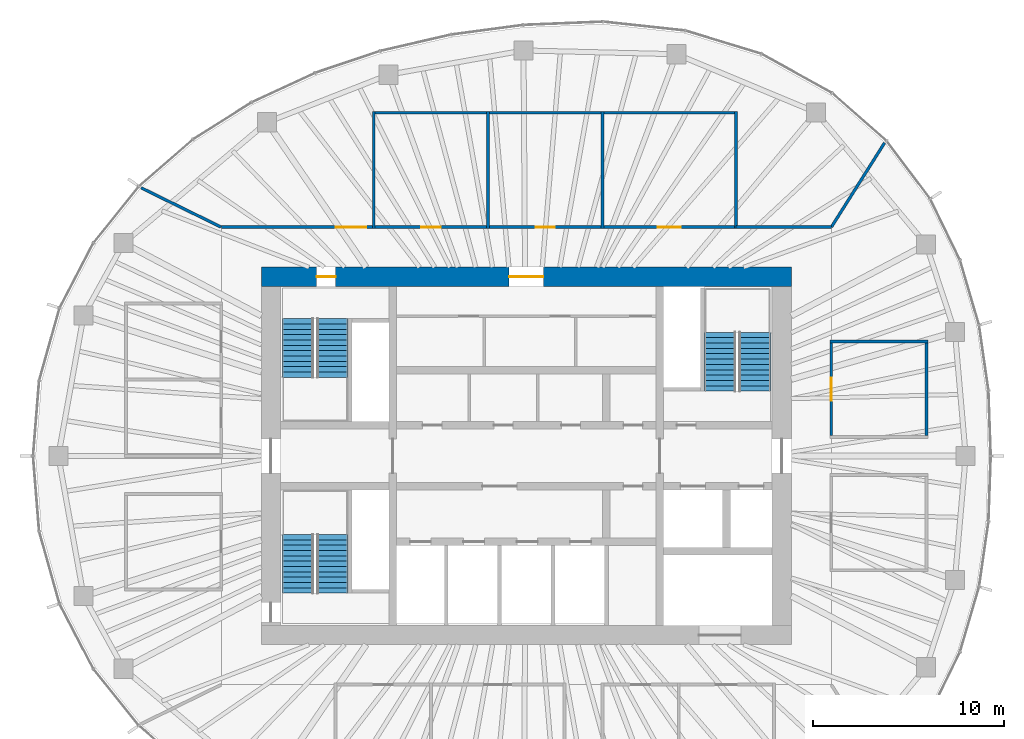
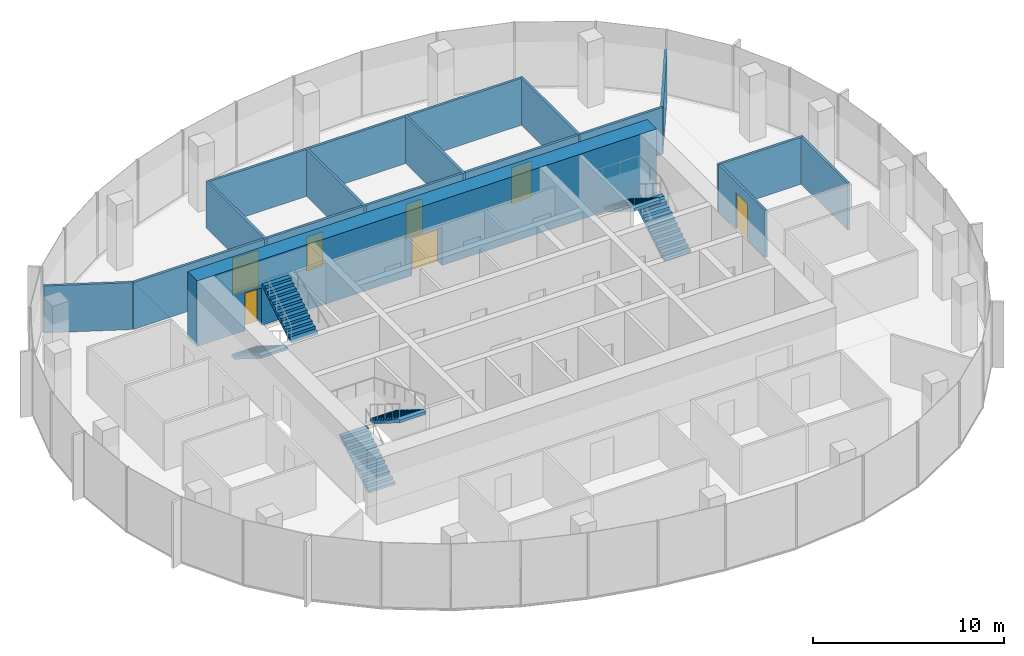
# One storey, part 10 of 11: 18 walls, 7 doors, 6 stair flights, 7 openings, 3 elements without a shape of their own.
"""IFC4 building model written with IfcOpenShell, lengths in metres."""

from ifc_helpers import new_model, si_unit, direction, frame, frame_2d, origin, place, context, subcontext, project, spatial, polyline, rectangle, outline, extrude, material, layer, layer_set, type_object, element, fill, aggregate, save


model = new_model("IFC4")

# Units and contexts
model_context = context("Model", 3, precision=1e-05, world=origin(), true_north=direction((0.0, 1.0)))
body_context = subcontext(model_context, "Body", "Model", "MODEL_VIEW")
ifc_project = project(units=[si_unit("LENGTHUNIT", "METRE"), si_unit("AREAUNIT", "SQUARE_METRE"), si_unit("VOLUMEUNIT", "CUBIC_METRE"), si_unit("PLANEANGLEUNIT", "RADIAN"), si_unit("MASSUNIT", "GRAM", prefix="KILO")], contexts=[model_context])

# Site, building, storey
site_placement = place(None, origin())
site = spatial("IfcSite", under=ifc_project, at=site_placement, CompositionType="ELEMENT")
building_placement = place(site_placement, origin())
building = spatial("IfcBuilding", under=site, at=building_placement, Name="Ghaith Harvest Tower", CompositionType="ELEMENT")
storey_placement = place(building_placement, frame((0.0, 0.0, 317.39990234375)))
storey = spatial("IfcBuildingStorey", under=building, at=storey_placement, Name="L71", CompositionType="ELEMENT", Elevation=317.39990234375)

# Wall, openings, doors
ifc_material_1 = material(Name="Concrete C50/60", Category="concrete")
ifc_layer_1 = layer(ifc_material_1, 1.0)
ifc_layer_set_1 = layer_set([ifc_layer_1], Name="CORE WALL CW1000")
wall_type_1 = type_object("IfcWallType", Name="CORE WALL CW1000", PredefinedType="SHEAR", material=ifc_layer_set_1)
wall_1_placement = place(storey_placement, frame((13.89990234375, 9.39990234375, 0.0), z_axis=(0.0, 0.0, 1.0), x_axis=(-1.0, 0.0, 0.0)))
wall_1 = element("IfcWall", 1, at=wall_1_placement, inside=storey, type_object=wall_type_1, Name="Core wall N L71", PredefinedType="SHEAR", context=body_context, shape_type="SweptSolid", body=[
    extrude(rectangle(XDim=27.7998046875, YDim=1.0, at=frame_2d((13.89990234375, 0.0))), origin(), (0.0, 0.0, 1.0), 4.2001953125),
])
opening_1_placement = place(wall_1_placement, frame((23.89990234375, 0.0, 0.0)))
opening_1 = element("IfcOpeningElement", 2, at=opening_1_placement, cuts=wall_1, Name="Opening 71-005", PredefinedType="OPENING", context=body_context, shape_type="SweptSolid", body=[
    extrude(rectangle(XDim=1.0, YDim=2.39990234375, at=frame_2d((0.5, 1.199951171875))), frame((0.0, 0.510009765625, 0.0), z_axis=(0.0, -1.0, 0.0), x_axis=(1.0, 0.0, 0.0)), (0.0, 0.0, 1.0), 1.02001953125),
])
opening_2_placement = place(wall_1_placement, frame((13.0, 0.0, 0.0)))
opening_2 = element("IfcOpeningElement", 3, at=opening_2_placement, cuts=wall_1, Name="Opening 71-017", PredefinedType="OPENING", context=body_context, shape_type="SweptSolid", body=[
    extrude(rectangle(XDim=1.800048828125, YDim=2.39990234375, at=frame_2d((0.89990234375, 1.199951171875))), frame((0.0, 0.510009765625, 0.0), z_axis=(0.0, -1.0, 0.0), x_axis=(1.0, 0.0, 0.0)), (0.0, 0.0, 1.0), 1.02001953125),
])
ifc_material_2 = material(Name="Steel fire door", Category="steel")
door_type_1 = type_object("IfcDoorType", Name="D3 FD90 1000x2400", OperationType="SINGLE_SWING_LEFT", PredefinedType="DOOR", material=ifc_material_2)
door_1_placement = place(opening_1_placement, origin())
door_1 = element("IfcDoor", 4, at=door_1_placement, inside=storey, type_object=door_type_1, Name="Stair ST1 door", OperationType="SINGLE_SWING_RIGHT", OverallHeight=2.39990234375, OverallWidth=1.0, PredefinedType="DOOR", context=body_context, shape_type="SweptSolid", body=[
    extrude(rectangle(XDim=1.0, YDim=2.39990234375, at=frame_2d((0.5, 1.199951171875))), frame((0.0, 0.02490234375, 0.0), z_axis=(0.0, -1.0, 0.0), x_axis=(1.0, 0.0, 0.0)), (0.0, 0.0, 1.0), 0.050048828125),
])
fill(opening_1, door_1)
ifc_material_3 = material(Name="Steel fire door", Category="steel")
door_type_2 = type_object("IfcDoorType", Name="D4 FD90 PAIR 1800x2400", OperationType="DOUBLE_DOOR_SINGLE_SWING", PredefinedType="DOOR", material=ifc_material_3)
door_2_placement = place(opening_2_placement, origin())
door_2 = element("IfcDoor", 5, at=door_2_placement, inside=storey, type_object=door_type_2, Name="Core service corridor doors", OperationType="DOUBLE_DOOR_SINGLE_SWING", OverallHeight=2.39990234375, OverallWidth=1.800048828125, PredefinedType="DOOR", context=body_context, shape_type="SweptSolid", body=[
    extrude(rectangle(XDim=1.800048828125, YDim=2.39990234375, at=frame_2d((0.89990234375, 1.199951171875))), frame((0.0, 0.02490234375, 0.0), z_axis=(0.0, -1.0, 0.0), x_axis=(1.0, 0.0, 0.0)), (0.0, 0.0, 1.0), 0.050048828125),
])
fill(opening_2, door_2)

# Walls
ifc_material_4 = material(Name="Gypsum board on steel studs", Category="steel")
ifc_layer_2 = layer(ifc_material_4, 0.14990234375)
ifc_layer_set_2 = layer_set([ifc_layer_2], Name="PARTITION 150")
wall_type_2 = type_object("IfcWallType", Name="PARTITION 150", PredefinedType="PARTITIONING", material=ifc_layer_set_2)
for number, where, z_axis, x_axis, name in (
    (6, (-8.0, 11.925048828125, 0.0), (0.0, 0.0, 1.0), (0.0, 1.0, 0.0), "Partition L71 row N1 cross wall 1"),
    (7, (-2.0, 11.925048828125, 0.0), (0.0, 0.0, 1.0), (0.0, 1.0, 0.0), "Partition L71 row N1 cross wall 2"),
    (8, (4.0, 11.925048828125, 0.0), (0.0, 0.0, 1.0), (0.0, 1.0, 0.0), "Partition L71 row N1 cross wall 3"),
    (9, (11.0, 11.925048828125, 0.0), (0.0, 0.0, 1.0), (0.0, 1.0, 0.0), "Partition L71 row N1 cross wall 4"),
):
    element("IfcWall", number, at=place(storey_placement, frame(where, z_axis=z_axis, x_axis=x_axis)), inside=storey, type_object=wall_type_2, Name=name, PredefinedType="PARTITIONING", context=body_context, shape_type="SweptSolid", body=[
        extrude(rectangle(XDim=6.14990234375, YDim=0.14990234375, at=frame_2d((3.074951171875, 0.0))), origin(), (0.0, 0.0, 1.0), 3.0),
    ])

# Wall, opening, door
wall_2_placement = place(storey_placement, frame((-7.925048828125, 12.0, 0.0), z_axis=(0.0, 0.0, 1.0), x_axis=(1.0, 0.0, 0.0)))
wall_2 = element("IfcWall", 10, at=wall_2_placement, inside=storey, type_object=wall_type_2, Name="Partition L71-01", PredefinedType="PARTITIONING", context=body_context, shape_type="SweptSolid", body=[
    extrude(rectangle(XDim=5.85009765625, YDim=0.14990234375, at=frame_2d((2.925048828125, 0.0))), origin(), (0.0, 0.0, 1.0), 3.0),
])
opening_3_placement = place(wall_2_placement, frame((2.425048828125, 0.0, 0.0)))
opening_3 = element("IfcOpeningElement", 11, at=opening_3_placement, cuts=wall_2, Name="Opening 71-025", PredefinedType="OPENING", context=body_context, shape_type="SweptSolid", body=[
    extrude(rectangle(XDim=1.0, YDim=2.199951171875, at=frame_2d((0.5, 1.10009765625))), frame((0.0, 0.0849609375, 0.0), z_axis=(0.0, -1.0, 0.0), x_axis=(1.0, 0.0, 0.0)), (0.0, 0.0, 1.0), 0.169921875),
])
ifc_material_5 = material(Name="Timber door", Category="wood")
door_type_3 = type_object("IfcDoorType", Name="D1 SINGLE 1000x2200", OperationType="SINGLE_SWING_LEFT", PredefinedType="DOOR", material=ifc_material_5)
door_3_placement = place(opening_3_placement, origin())
door_3 = element("IfcDoor", 12, at=door_3_placement, inside=storey, type_object=door_type_3, Name="Drying room door", OperationType="SINGLE_SWING_LEFT", OverallHeight=2.199951171875, OverallWidth=1.0, PredefinedType="DOOR", context=body_context, shape_type="SweptSolid", body=[
    extrude(rectangle(XDim=1.0, YDim=2.199951171875, at=frame_2d((0.5, 1.10009765625))), frame((0.0, 0.02490234375, 0.0), z_axis=(0.0, -1.0, 0.0), x_axis=(1.0, 0.0, 0.0)), (0.0, 0.0, 1.0), 0.050048828125),
])
fill(opening_3, door_3)

# Wall
wall_3_placement = place(storey_placement, frame((-7.925048828125, 18.0, 0.0), z_axis=(0.0, 0.0, 1.0), x_axis=(1.0, 0.0, 0.0)))
element("IfcWall", 13, at=wall_3_placement, inside=storey, type_object=wall_type_2, Name="Partition L71-01", PredefinedType="PARTITIONING", context=body_context, shape_type="SweptSolid", body=[
    extrude(rectangle(XDim=5.85009765625, YDim=0.14990234375, at=frame_2d((2.925048828125, 0.0))), origin(), (0.0, 0.0, 1.0), 3.0),
])

# Wall, opening, door
wall_4_placement = place(storey_placement, frame((-1.925048828125, 12.0, 0.0), z_axis=(0.0, 0.0, 1.0), x_axis=(1.0, 0.0, 0.0)))
wall_4 = element("IfcWall", 14, at=wall_4_placement, inside=storey, type_object=wall_type_2, Name="Partition L71-02", PredefinedType="PARTITIONING", context=body_context, shape_type="SweptSolid", body=[
    extrude(rectangle(XDim=5.85009765625, YDim=0.14990234375, at=frame_2d((2.925048828125, 0.0))), origin(), (0.0, 0.0, 1.0), 3.0),
])
opening_4_placement = place(wall_4_placement, frame((2.425048828125, 0.0, 0.0)))
opening_4 = element("IfcOpeningElement", 15, at=opening_4_placement, cuts=wall_4, Name="Opening 71-026", PredefinedType="OPENING", context=body_context, shape_type="SweptSolid", body=[
    extrude(rectangle(XDim=1.0, YDim=2.199951171875, at=frame_2d((0.5, 1.10009765625))), frame((0.0, 0.0849609375, 0.0), z_axis=(0.0, -1.0, 0.0), x_axis=(1.0, 0.0, 0.0)), (0.0, 0.0, 1.0), 0.169921875),
])
door_4_placement = place(opening_4_placement, origin())
door_4 = element("IfcDoor", 16, at=door_4_placement, inside=storey, type_object=door_type_3, Name="Drying room door", OperationType="SINGLE_SWING_LEFT", OverallHeight=2.199951171875, OverallWidth=1.0, PredefinedType="DOOR", context=body_context, shape_type="SweptSolid", body=[
    extrude(rectangle(XDim=1.0, YDim=2.199951171875, at=frame_2d((0.5, 1.10009765625))), frame((0.0, 0.02490234375, 0.0), z_axis=(0.0, -1.0, 0.0), x_axis=(1.0, 0.0, 0.0)), (0.0, 0.0, 1.0), 0.050048828125),
])
fill(opening_4, door_4)

# Wall
wall_5_placement = place(storey_placement, frame((-1.925048828125, 18.0, 0.0), z_axis=(0.0, 0.0, 1.0), x_axis=(1.0, 0.0, 0.0)))
element("IfcWall", 17, at=wall_5_placement, inside=storey, type_object=wall_type_2, Name="Partition L71-02", PredefinedType="PARTITIONING", context=body_context, shape_type="SweptSolid", body=[
    extrude(rectangle(XDim=5.85009765625, YDim=0.14990234375, at=frame_2d((2.925048828125, 0.0))), origin(), (0.0, 0.0, 1.0), 3.0),
])

# Wall, opening, door
wall_6_placement = place(storey_placement, frame((4.074951171875, 12.0, 0.0), z_axis=(0.0, 0.0, 1.0), x_axis=(1.0, 0.0, 0.0)))
wall_6 = element("IfcWall", 18, at=wall_6_placement, inside=storey, type_object=wall_type_2, Name="Partition L71-03", PredefinedType="PARTITIONING", context=body_context, shape_type="SweptSolid", body=[
    extrude(rectangle(XDim=6.85009765625, YDim=0.14990234375, at=frame_2d((3.425048828125, 0.0))), origin(), (0.0, 0.0, 1.0), 3.0),
])
opening_5_placement = place(wall_6_placement, frame((2.824951171875, 0.0, 0.0)))
opening_5 = element("IfcOpeningElement", 19, at=opening_5_placement, cuts=wall_6, Name="Opening 71-027", PredefinedType="OPENING", context=body_context, shape_type="SweptSolid", body=[
    extrude(rectangle(XDim=1.199951171875, YDim=2.300048828125, at=frame_2d((0.60009765625, 1.14990234375))), frame((0.0, 0.0849609375, 0.0), z_axis=(0.0, -1.0, 0.0), x_axis=(1.0, 0.0, 0.0)), (0.0, 0.0, 1.0), 0.169921875),
])
ifc_material_6 = material(Name="Timber door with vision panel", Category="wood")
door_type_4 = type_object("IfcDoorType", Name="D15 LABORATORY 1200x2300", OperationType="SINGLE_SWING_LEFT", PredefinedType="DOOR", material=ifc_material_6)
door_5_placement = place(opening_5_placement, origin())
door_5 = element("IfcDoor", 20, at=door_5_placement, inside=storey, type_object=door_type_4, Name="Distillation laboratory door", OperationType="SINGLE_SWING_LEFT", OverallHeight=2.300048828125, OverallWidth=1.199951171875, PredefinedType="DOOR", context=body_context, shape_type="SweptSolid", body=[
    extrude(rectangle(XDim=1.199951171875, YDim=2.300048828125, at=frame_2d((0.60009765625, 1.14990234375))), frame((0.0, 0.02490234375, 0.0), z_axis=(0.0, -1.0, 0.0), x_axis=(1.0, 0.0, 0.0)), (0.0, 0.0, 1.0), 0.050048828125),
])
fill(opening_5, door_5)

# Walls
wall_7_placement = place(storey_placement, frame((4.074951171875, 18.0, 0.0), z_axis=(0.0, 0.0, 1.0), x_axis=(1.0, 0.0, 0.0)))
element("IfcWall", 21, at=wall_7_placement, inside=storey, type_object=wall_type_2, Name="Partition L71-03", PredefinedType="PARTITIONING", context=body_context, shape_type="SweptSolid", body=[
    extrude(rectangle(XDim=6.85009765625, YDim=0.14990234375, at=frame_2d((3.425048828125, 0.0))), origin(), (0.0, 0.0, 1.0), 3.0),
])
wall_8_placement = place(storey_placement, frame((15.925048828125, 6.0, 0.0), z_axis=(0.0, 0.0, 1.0), x_axis=(1.0, 0.0, 0.0)))
element("IfcWall", 22, at=wall_8_placement, inside=storey, type_object=wall_type_2, Name="Partition L71 row E6 cross wall 2", PredefinedType="PARTITIONING", context=body_context, shape_type="SweptSolid", body=[
    extrude(rectangle(XDim=5.14990234375, YDim=0.14990234375, at=frame_2d((2.574951171875, 0.0))), origin(), (0.0, 0.0, 1.0), 3.0),
])

# Wall, opening, door
wall_9_placement = place(storey_placement, frame((16.0, 1.074951171875, 0.0), z_axis=(0.0, 0.0, 1.0), x_axis=(0.0, 1.0, 0.0)))
wall_9 = element("IfcWall", 23, at=wall_9_placement, inside=storey, type_object=wall_type_2, Name="Partition L71-10", PredefinedType="PARTITIONING", context=body_context, shape_type="SweptSolid", body=[
    extrude(rectangle(XDim=4.85009765625, YDim=0.14990234375, at=frame_2d((2.425048828125, 0.0))), origin(), (0.0, 0.0, 1.0), 3.0),
])
opening_6_placement = place(wall_9_placement, frame((1.824951171875, 0.0, 0.0)))
opening_6 = element("IfcOpeningElement", 24, at=opening_6_placement, cuts=wall_9, Name="Opening 71-034", PredefinedType="OPENING", context=body_context, shape_type="SweptSolid", body=[
    extrude(rectangle(XDim=1.199951171875, YDim=2.300048828125, at=frame_2d((0.60009765625, 1.14990234375))), frame((0.0, 0.0849609375, 0.0), z_axis=(0.0, -1.0, 0.0), x_axis=(1.0, 0.0, 0.0)), (0.0, 0.0, 1.0), 0.169921875),
])
door_6_placement = place(opening_6_placement, origin())
door_6 = element("IfcDoor", 25, at=door_6_placement, inside=storey, type_object=door_type_4, Name="Quality laboratory door", OperationType="SINGLE_SWING_LEFT", OverallHeight=2.300048828125, OverallWidth=1.199951171875, PredefinedType="DOOR", context=body_context, shape_type="SweptSolid", body=[
    extrude(rectangle(XDim=1.199951171875, YDim=2.300048828125, at=frame_2d((0.60009765625, 1.14990234375))), frame((0.0, 0.02490234375, 0.0), z_axis=(0.0, -1.0, 0.0), x_axis=(1.0, 0.0, 0.0)), (0.0, 0.0, 1.0), 0.050048828125),
])
fill(opening_6, door_6)

# Walls
wall_10_placement = place(storey_placement, frame((21.0, 1.074951171875, 0.0), z_axis=(0.0, 0.0, 1.0), x_axis=(0.0, 1.0, 0.0)))
element("IfcWall", 26, at=wall_10_placement, inside=storey, type_object=wall_type_2, Name="Partition L71-10", PredefinedType="PARTITIONING", context=body_context, shape_type="SweptSolid", body=[
    extrude(rectangle(XDim=4.85009765625, YDim=0.14990234375, at=frame_2d((2.425048828125, 0.0))), origin(), (0.0, 0.0, 1.0), 3.0),
])
wall_11_placement = place(storey_placement, frame((-16.017822265625, 12.0087890625, 0.0), z_axis=(0.0, 0.0, 1.0), x_axis=(-0.897771840996, 0.440460805879, 0.0)))
element("IfcWall", 27, at=wall_11_placement, inside=storey, type_object=wall_type_2, Name="Partition L71 zone division", PredefinedType="PARTITIONING", context=body_context, shape_type="SweptSolid", body=[
    extrude(rectangle(XDim=4.66552734375, YDim=0.14990234375, at=frame_2d((2.332763671875, 0.0))), origin(), (0.0, 0.0, 1.0), 3.0),
])
wall_12_placement = place(storey_placement, frame((16.0107421875, 12.016845703125, 0.0), z_axis=(0.0, 0.0, 1.0), x_axis=(0.53415837449, 0.845384427916, 0.0)))
element("IfcWall", 28, at=wall_12_placement, inside=storey, type_object=wall_type_2, Name="Partition L71 zone division", PredefinedType="PARTITIONING", context=body_context, shape_type="SweptSolid", body=[
    extrude(rectangle(XDim=5.220458984375, YDim=0.14990234375, at=frame_2d((2.6103515625, 0.0))), origin(), (0.0, 0.0, 1.0), 3.0),
])

# Wall, opening, door
wall_13_placement = place(storey_placement, frame((-8.0, 12.0, 0.0), z_axis=(0.0, 0.0, 1.0), x_axis=(-1.0, 0.0, 0.0)))
wall_13 = element("IfcWall", 29, at=wall_13_placement, inside=storey, type_object=wall_type_2, Name="Partition L71 zone enclosure", PredefinedType="PARTITIONING", context=body_context, shape_type="SweptSolid", body=[
    extrude(rectangle(XDim=8.0, YDim=0.14990234375, at=frame_2d((4.0, 0.0))), origin(), (0.0, 0.0, 1.0), 3.0),
])
opening_7_placement = place(wall_13_placement, frame((0.39990234375, 0.0, 0.0)))
opening_7 = element("IfcOpeningElement", 30, at=opening_7_placement, cuts=wall_13, Name="Opening 71-037", PredefinedType="OPENING", context=body_context, shape_type="SweptSolid", body=[
    extrude(rectangle(XDim=1.60009765625, YDim=2.39990234375, at=frame_2d((0.800048828125, 1.199951171875))), frame((0.0, 0.0849609375, 0.0), z_axis=(0.0, -1.0, 0.0), x_axis=(1.0, 0.0, 0.0)), (0.0, 0.0, 1.0), 0.169921875),
])
ifc_material_7 = material(Name="Timber door", Category="wood")
door_type_5 = type_object("IfcDoorType", Name="D2 PAIR 1600x2400", OperationType="DOUBLE_DOOR_SINGLE_SWING", PredefinedType="DOOR", material=ifc_material_7)
door_7_placement = place(opening_7_placement, origin())
door_7 = element("IfcDoor", 31, at=door_7_placement, inside=storey, type_object=door_type_5, Name="Herb and spice growing area north door", OperationType="DOUBLE_DOOR_SINGLE_SWING", OverallHeight=2.39990234375, OverallWidth=1.60009765625, PredefinedType="DOOR", context=body_context, shape_type="SweptSolid", body=[
    extrude(rectangle(XDim=1.60009765625, YDim=2.39990234375, at=frame_2d((0.800048828125, 1.199951171875))), frame((0.0, 0.02490234375, 0.0), z_axis=(0.0, -1.0, 0.0), x_axis=(1.0, 0.0, 0.0)), (0.0, 0.0, 1.0), 0.050048828125),
])
fill(opening_7, door_7)

# Wall
wall_14_placement = place(storey_placement, frame((16.0, 12.0, 0.0), z_axis=(0.0, 0.0, 1.0), x_axis=(-1.0, 0.0, 0.0)))
element("IfcWall", 32, at=wall_14_placement, inside=storey, type_object=wall_type_2, Name="Partition L71 zone enclosure", PredefinedType="PARTITIONING", context=body_context, shape_type="SweptSolid", body=[
    extrude(rectangle(XDim=5.0, YDim=0.14990234375, at=frame_2d((2.5, 0.0))), origin(), (0.0, 0.0, 1.0), 3.0),
])

# Stair, stair flights
ifc_material_8 = material(Name="Concrete C40/50, precast", Category="concrete")
stair_type = type_object("IfcStairType", Name="CORE STAIR 24R", PredefinedType="HALF_TURN_STAIR", material=ifc_material_8)
stair_1_placement = place(storey_placement, origin())
stair_1 = element("IfcStair", 33, at=stair_1_placement, inside=storey, type_object=stair_type, Name="Stair ST1 L71", PredefinedType="HALF_TURN_STAIR")
ifc_material_9 = material(Name="Concrete C40/50, precast", Category="concrete")
stair_flight_type = type_object("IfcStairFlightType", Name="CORE FLIGHT 12R 1600", PredefinedType="STRAIGHT", material=ifc_material_9)
stair_flight_1_placement = place(storey_placement, frame((-12.0, 7.199951171875, 0.0), z_axis=(0.0, 0.0, 1.0), x_axis=(0.0, -1.0, 0.0)))
stair_flight_1 = element("IfcStairFlight", 34, at=stair_flight_1_placement, type_object=stair_flight_type, Name="ST1 flight 1", NumberOfRisers=12, NumberOfTreads=11, PredefinedType="STRAIGHT", RiserHeight=0.175, TreadLength=0.28, context=body_context, shape_type="SweptSolid", body=[
    extrude(outline(polyline([(0.0, 0.0), (0.0, 0.175048828125), (0.280029296875, 0.175048828125), (0.280029296875, 0.35009765625), (0.56005859375, 0.35009765625), (0.56005859375, 0.52490234375), (0.840087890625, 0.52490234375), (0.840087890625, 0.699951171875), (1.1201171875, 0.699951171875), (1.1201171875, 0.875), (1.39990234375, 0.875), (1.39990234375, 1.050048828125), (1.679931640625, 1.050048828125), (1.679931640625, 1.22509765625), (1.9599609375, 1.22509765625), (1.9599609375, 1.39990234375), (2.239990234375, 1.39990234375), (2.239990234375, 1.574951171875), (2.52001953125, 1.574951171875), (2.52001953125, 1.75), (2.800048828125, 1.75), (2.800048828125, 1.925048828125), (3.080078125, 1.925048828125), (3.080078125, 2.10009765625), (3.080078125, 1.748291015625), (0.28271484375, 0.0), (0.0, 0.0)])), frame((0.0, 0.800048828125, 0.0), z_axis=(0.0, -1.0, 0.0), x_axis=(1.0, 0.0, 0.0)), (0.0, 0.0, 1.0), 1.60009765625),
])
stair_flight_2_placement = place(storey_placement, frame((-10.14990234375, 4.1201171875, 2.10009765625), z_axis=(0.0, 0.0, 1.0), x_axis=(0.0, 1.0, 0.0)))
stair_flight_2 = element("IfcStairFlight", 35, at=stair_flight_2_placement, type_object=stair_flight_type, Name="ST1 flight 2", NumberOfRisers=12, NumberOfTreads=11, PredefinedType="STRAIGHT", RiserHeight=0.175, TreadLength=0.28, context=body_context, shape_type="SweptSolid", body=[
    extrude(outline(polyline([(0.0, 0.0), (0.0, 0.175048828125), (0.280029296875, 0.175048828125), (0.280029296875, 0.35009765625), (0.56005859375, 0.35009765625), (0.56005859375, 0.52490234375), (0.840087890625, 0.52490234375), (0.840087890625, 0.699951171875), (1.1201171875, 0.699951171875), (1.1201171875, 0.875), (1.39990234375, 0.875), (1.39990234375, 1.050048828125), (1.679931640625, 1.050048828125), (1.679931640625, 1.22509765625), (1.9599609375, 1.22509765625), (1.9599609375, 1.39990234375), (2.239990234375, 1.39990234375), (2.239990234375, 1.574951171875), (2.52001953125, 1.574951171875), (2.52001953125, 1.75), (2.800048828125, 1.75), (2.800048828125, 1.925048828125), (3.080078125, 1.925048828125), (3.080078125, 2.10009765625), (3.080078125, 1.748291015625), (0.28271484375, 0.0), (0.0, 0.0)])), frame((0.0, 0.800048828125, 0.0), z_axis=(0.0, -1.0, 0.0), x_axis=(1.0, 0.0, 0.0)), (0.0, 0.0, 1.0), 1.60009765625),
])
aggregate(stair_1, [stair_flight_1, stair_flight_2])

stair_2_placement = place(storey_placement, origin())
stair_2 = element("IfcStair", 36, at=stair_2_placement, inside=storey, type_object=stair_type, Name="Stair ST3 L71", PredefinedType="HALF_TURN_STAIR")
stair_flight_3_placement = place(storey_placement, frame((-12.0, -7.199951171875, 0.0), z_axis=(0.0, 0.0, 1.0), x_axis=(0.0, 1.0, 0.0)))
stair_flight_3 = element("IfcStairFlight", 37, at=stair_flight_3_placement, type_object=stair_flight_type, Name="ST3 flight 1", NumberOfRisers=12, NumberOfTreads=11, PredefinedType="STRAIGHT", RiserHeight=0.175, TreadLength=0.28, context=body_context, shape_type="SweptSolid", body=[
    extrude(outline(polyline([(0.0, 0.0), (0.0, 0.175048828125), (0.280029296875, 0.175048828125), (0.280029296875, 0.35009765625), (0.56005859375, 0.35009765625), (0.56005859375, 0.52490234375), (0.840087890625, 0.52490234375), (0.840087890625, 0.699951171875), (1.1201171875, 0.699951171875), (1.1201171875, 0.875), (1.39990234375, 0.875), (1.39990234375, 1.050048828125), (1.679931640625, 1.050048828125), (1.679931640625, 1.22509765625), (1.9599609375, 1.22509765625), (1.9599609375, 1.39990234375), (2.239990234375, 1.39990234375), (2.239990234375, 1.574951171875), (2.52001953125, 1.574951171875), (2.52001953125, 1.75), (2.800048828125, 1.75), (2.800048828125, 1.925048828125), (3.080078125, 1.925048828125), (3.080078125, 2.10009765625), (3.080078125, 1.748291015625), (0.28271484375, 0.0), (0.0, 0.0)])), frame((0.0, 0.800048828125, 0.0), z_axis=(0.0, -1.0, 0.0), x_axis=(1.0, 0.0, 0.0)), (0.0, 0.0, 1.0), 1.60009765625),
])
stair_flight_4_placement = place(storey_placement, frame((-10.14990234375, -4.1201171875, 2.10009765625), z_axis=(0.0, 0.0, 1.0), x_axis=(0.0, -1.0, 0.0)))
stair_flight_4 = element("IfcStairFlight", 38, at=stair_flight_4_placement, type_object=stair_flight_type, Name="ST3 flight 2", NumberOfRisers=12, NumberOfTreads=11, PredefinedType="STRAIGHT", RiserHeight=0.175, TreadLength=0.28, context=body_context, shape_type="SweptSolid", body=[
    extrude(outline(polyline([(0.0, 0.0), (0.0, 0.175048828125), (0.280029296875, 0.175048828125), (0.280029296875, 0.35009765625), (0.56005859375, 0.35009765625), (0.56005859375, 0.52490234375), (0.840087890625, 0.52490234375), (0.840087890625, 0.699951171875), (1.1201171875, 0.699951171875), (1.1201171875, 0.875), (1.39990234375, 0.875), (1.39990234375, 1.050048828125), (1.679931640625, 1.050048828125), (1.679931640625, 1.22509765625), (1.9599609375, 1.22509765625), (1.9599609375, 1.39990234375), (2.239990234375, 1.39990234375), (2.239990234375, 1.574951171875), (2.52001953125, 1.574951171875), (2.52001953125, 1.75), (2.800048828125, 1.75), (2.800048828125, 1.925048828125), (3.080078125, 1.925048828125), (3.080078125, 2.10009765625), (3.080078125, 1.748291015625), (0.28271484375, 0.0), (0.0, 0.0)])), frame((0.0, 0.800048828125, 0.0), z_axis=(0.0, -1.0, 0.0), x_axis=(1.0, 0.0, 0.0)), (0.0, 0.0, 1.0), 1.60009765625),
])
aggregate(stair_2, [stair_flight_3, stair_flight_4])

stair_3_placement = place(storey_placement, origin())
stair_3 = element("IfcStair", 39, at=stair_3_placement, inside=storey, type_object=stair_type, Name="Stair ST2 L71", PredefinedType="HALF_TURN_STAIR")
stair_flight_5_placement = place(storey_placement, frame((12.0, 3.39990234375, 0.0), z_axis=(0.0, 0.0, 1.0), x_axis=(0.0, 1.0, 0.0)))
stair_flight_5 = element("IfcStairFlight", 40, at=stair_flight_5_placement, type_object=stair_flight_type, Name="ST2 flight 1", NumberOfRisers=12, NumberOfTreads=11, PredefinedType="STRAIGHT", RiserHeight=0.175, TreadLength=0.28, context=body_context, shape_type="SweptSolid", body=[
    extrude(outline(polyline([(0.0, 0.0), (0.0, 0.175048828125), (0.280029296875, 0.175048828125), (0.280029296875, 0.35009765625), (0.56005859375, 0.35009765625), (0.56005859375, 0.52490234375), (0.840087890625, 0.52490234375), (0.840087890625, 0.699951171875), (1.1201171875, 0.699951171875), (1.1201171875, 0.875), (1.39990234375, 0.875), (1.39990234375, 1.050048828125), (1.679931640625, 1.050048828125), (1.679931640625, 1.22509765625), (1.9599609375, 1.22509765625), (1.9599609375, 1.39990234375), (2.239990234375, 1.39990234375), (2.239990234375, 1.574951171875), (2.52001953125, 1.574951171875), (2.52001953125, 1.75), (2.800048828125, 1.75), (2.800048828125, 1.925048828125), (3.080078125, 1.925048828125), (3.080078125, 2.10009765625), (3.080078125, 1.748291015625), (0.28271484375, 0.0), (0.0, 0.0)])), frame((0.0, 0.800048828125, 0.0), z_axis=(0.0, -1.0, 0.0), x_axis=(1.0, 0.0, 0.0)), (0.0, 0.0, 1.0), 1.60009765625),
])
stair_flight_6_placement = place(storey_placement, frame((10.14990234375, 6.47998046875, 2.10009765625), z_axis=(0.0, 0.0, 1.0), x_axis=(0.0, -1.0, 0.0)))
stair_flight_6 = element("IfcStairFlight", 41, at=stair_flight_6_placement, type_object=stair_flight_type, Name="ST2 flight 2", NumberOfRisers=12, NumberOfTreads=11, PredefinedType="STRAIGHT", RiserHeight=0.175, TreadLength=0.28, context=body_context, shape_type="SweptSolid", body=[
    extrude(outline(polyline([(0.0, 0.0), (0.0, 0.175048828125), (0.280029296875, 0.175048828125), (0.280029296875, 0.35009765625), (0.56005859375, 0.35009765625), (0.56005859375, 0.52490234375), (0.840087890625, 0.52490234375), (0.840087890625, 0.699951171875), (1.1201171875, 0.699951171875), (1.1201171875, 0.875), (1.39990234375, 0.875), (1.39990234375, 1.050048828125), (1.679931640625, 1.050048828125), (1.679931640625, 1.22509765625), (1.9599609375, 1.22509765625), (1.9599609375, 1.39990234375), (2.239990234375, 1.39990234375), (2.239990234375, 1.574951171875), (2.52001953125, 1.574951171875), (2.52001953125, 1.75), (2.800048828125, 1.75), (2.800048828125, 1.925048828125), (3.080078125, 1.925048828125), (3.080078125, 2.10009765625), (3.080078125, 1.748291015625), (0.28271484375, 0.0), (0.0, 0.0)])), frame((0.0, 0.800048828125, 0.0), z_axis=(0.0, -1.0, 0.0), x_axis=(1.0, 0.0, 0.0)), (0.0, 0.0, 1.0), 1.60009765625),
])
aggregate(stair_3, [stair_flight_5, stair_flight_6])

save(model, "model.ifc")
